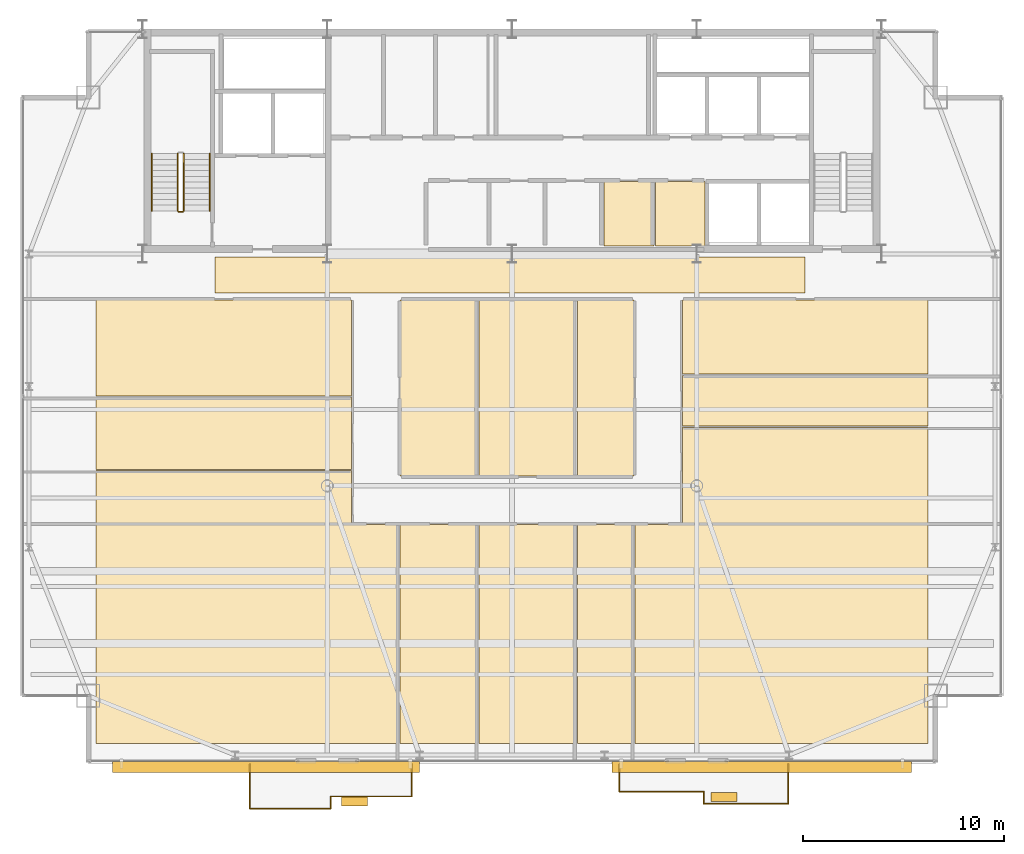
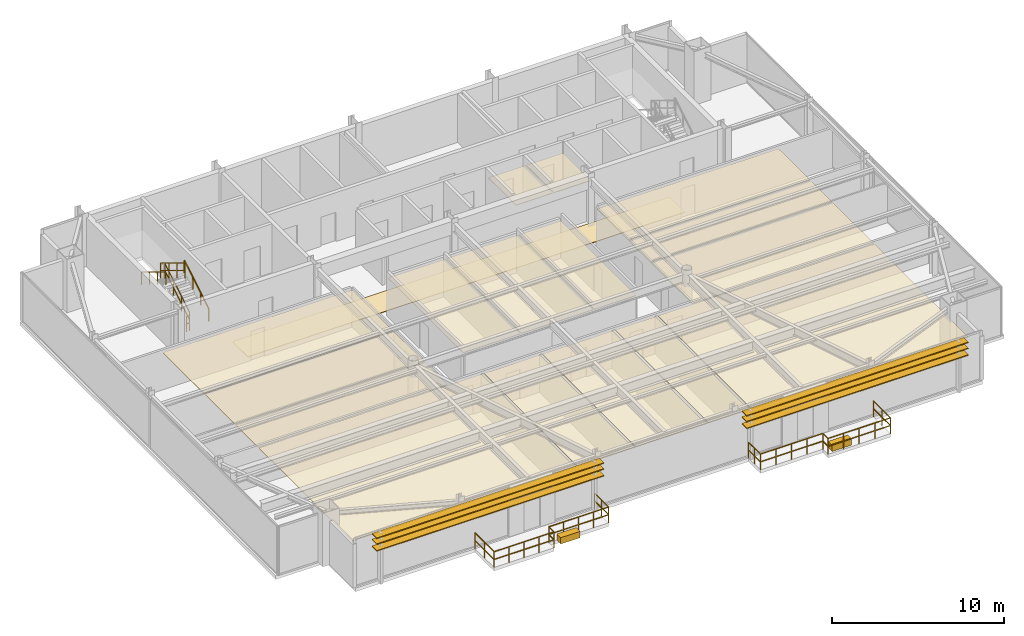
# One storey, part 27 of 28: 19 coverings, 15 railings, 6 shading devices.
"""IFC4 building model written with IfcOpenShell, lengths in metres."""

from ifc_helpers import new_model, si_unit, direction, frame, origin, origin_2d, place, context, subcontext, project, spatial, polyline, rectangle, outline, extrude, source, transform, mapped, material, layer, layer_set, type_object, type_shapes, element, save


model = new_model("IFC4")

# Units and contexts
model_context = context("Model", 3, precision=1e-05, world=origin(), true_north=direction((0.0, 1.0)))
body_context = subcontext(model_context, "Body", "Model", "MODEL_VIEW")
ifc_project = project(units=[si_unit("LENGTHUNIT", "METRE"), si_unit("AREAUNIT", "SQUARE_METRE"), si_unit("VOLUMEUNIT", "CUBIC_METRE"), si_unit("PLANEANGLEUNIT", "RADIAN"), si_unit("MASSUNIT", "GRAM", prefix="KILO")], contexts=[model_context])

# Site, building, storey
site_placement = place(None, origin())
site = spatial("IfcSite", under=ifc_project, at=site_placement, CompositionType="ELEMENT")
building_placement = place(site_placement, origin())
building = spatial("IfcBuilding", under=site, at=building_placement, Name="Varnel Quay Broadcast Tower", CompositionType="ELEMENT")
storey_placement = place(building_placement, frame((0.0, 0.0, 230.199951171875)))
storey = spatial("IfcBuildingStorey", under=building, at=storey_placement, Name="L57", CompositionType="ELEMENT", Elevation=230.199951171875)

# Coverings
ifc_material_1 = material(Name="Micro-Perforated Acoustic Ceiling Tile")
ifc_layer_1 = layer(ifc_material_1, 0.0400390625, Name="Micro-Perforated Acoustic Ceiling Tile")
ifc_layer_set_1 = layer_set([ifc_layer_1], Name="Micro-Perforated Acoustic Ceiling Tile")
covering_type_1 = type_object("IfcCoveringType", Name="Cov_AcousticCeiling", PredefinedType="CEILING", material=ifc_layer_set_1)
covering_1_placement = place(storey_placement, frame((0.0, 0.0, 2.580078125)))
element("IfcCovering", 1, at=covering_1_placement, inside=storey, type_object=covering_type_1, Name="L57 Cleaners' & Linen Store Acoustic Ceiling", PredefinedType="CEILING", context=body_context, shape_type="SweptSolid", body=[
    extrude(outline(polyline([(38.5849609375, 35.985107421875), (41.06494140625, 35.985107421875), (41.06494140625, 39.215087890625), (38.5849609375, 39.215087890625), (38.5849609375, 35.985107421875)])), origin(), (0.0, 0.0, 1.0), 0.0400390625),
])
covering_2_placement = place(storey_placement, frame((0.0, 0.0, 2.580078125)))
element("IfcCovering", 2, at=covering_2_placement, inside=storey, type_object=covering_type_1, Name="L57 Telecom IDF Closet Acoustic Ceiling", PredefinedType="CEILING", context=body_context, shape_type="SweptSolid", body=[
    extrude(outline(polyline([(41.135009765625, 35.985107421875), (43.614990234375, 35.985107421875), (43.614990234375, 39.215087890625), (41.135009765625, 39.215087890625), (41.135009765625, 35.985107421875)])), origin(), (0.0, 0.0, 1.0), 0.0400390625),
])
covering_3_placement = place(storey_placement, frame((0.0, 0.0, 2.580078125)))
element("IfcCovering", 3, at=covering_3_placement, inside=storey, type_object=covering_type_1, Name="L57 Broadcast Newsroom 1 Acoustic Ceiling", PredefinedType="CEILING", context=body_context, shape_type="SweptSolid", body=[
    extrude(outline(polyline([(13.284912109375, 11.22509765625), (28.364990234375, 11.22509765625), (28.364990234375, 22.125), (13.284912109375, 22.125), (13.284912109375, 11.22509765625)])), origin(), (0.0, 0.0, 1.0), 0.0400390625),
])
covering_4_placement = place(storey_placement, frame((0.0, 0.0, 2.580078125)))
element("IfcCovering", 4, at=covering_4_placement, inside=storey, type_object=covering_type_1, Name="L57 Assignment Desk 2 Acoustic Ceiling", PredefinedType="CEILING", context=body_context, shape_type="SweptSolid", body=[
    extrude(outline(polyline([(28.43505859375, 11.22509765625), (32.294921875, 11.22509765625), (32.294921875, 22.125), (28.43505859375, 22.125), (28.43505859375, 11.22509765625)])), origin(), (0.0, 0.0, 1.0), 0.0400390625),
])
covering_5_placement = place(storey_placement, frame((0.0, 0.0, 2.580078125)))
element("IfcCovering", 5, at=covering_5_placement, inside=storey, type_object=covering_type_1, Name="L57 Editorial Boardroom 3 Acoustic Ceiling", PredefinedType="CEILING", context=body_context, shape_type="SweptSolid", body=[
    extrude(outline(polyline([(32.364990234375, 11.22509765625), (37.18505859375, 11.22509765625), (37.18505859375, 22.125), (32.364990234375, 22.125), (32.364990234375, 11.22509765625)])), origin(), (0.0, 0.0, 1.0), 0.0400390625),
])
covering_6_placement = place(storey_placement, frame((0.0, 0.0, 2.580078125)))
element("IfcCovering", 6, at=covering_6_placement, inside=storey, type_object=covering_type_1, Name="L57 Break Kitchen 4 Acoustic Ceiling", PredefinedType="CEILING", context=body_context, shape_type="SweptSolid", body=[
    extrude(outline(polyline([(37.2548828125, 11.22509765625), (40.06494140625, 11.22509765625), (40.06494140625, 22.125), (37.2548828125, 22.125), (37.2548828125, 11.22509765625)])), origin(), (0.0, 0.0, 1.0), 0.0400390625),
])
covering_7_placement = place(storey_placement, frame((0.0, 0.0, 2.580078125)))
element("IfcCovering", 7, at=covering_7_placement, inside=storey, type_object=covering_type_1, Name="L57 Press Green Lounge 5 Acoustic Ceiling", PredefinedType="CEILING", context=body_context, shape_type="SweptSolid", body=[
    extrude(outline(polyline([(40.135009765625, 11.22509765625), (54.715087890625, 11.22509765625), (54.715087890625, 22.125), (40.135009765625, 22.125), (40.135009765625, 11.22509765625)])), origin(), (0.0, 0.0, 1.0), 0.0400390625),
])
covering_8_placement = place(storey_placement, frame((0.0, 0.0, 2.580078125)))
element("IfcCovering", 8, at=covering_8_placement, inside=storey, type_object=covering_type_1, Name="L57 Camera Locker Store 6 Acoustic Ceiling", PredefinedType="CEILING", context=body_context, shape_type="SweptSolid", body=[
    extrude(outline(polyline([(13.284912109375, 22.195068359375), (26.014892578125, 22.195068359375), (26.014892578125, 24.804931640625), (13.284912109375, 24.804931640625), (13.284912109375, 22.195068359375)])), origin(), (0.0, 0.0, 1.0), 0.0400390625),
])
covering_9_placement = place(storey_placement, frame((0.0, 0.0, 2.580078125)))
element("IfcCovering", 9, at=covering_9_placement, inside=storey, type_object=covering_type_1, Name="L57 Broadcast Newsroom 7 Acoustic Ceiling", PredefinedType="CEILING", context=body_context, shape_type="SweptSolid", body=[
    extrude(outline(polyline([(13.284912109375, 24.875), (26.014892578125, 24.875), (26.014892578125, 28.465087890625), (13.284912109375, 28.465087890625), (13.284912109375, 24.875)])), origin(), (0.0, 0.0, 1.0), 0.0400390625),
])
covering_10_placement = place(storey_placement, frame((0.0, 0.0, 2.580078125)))
element("IfcCovering", 10, at=covering_10_placement, inside=storey, type_object=covering_type_1, Name="L57 Assignment Desk 8 Acoustic Ceiling", PredefinedType="CEILING", context=body_context, shape_type="SweptSolid", body=[
    extrude(outline(polyline([(13.284912109375, 28.534912109375), (26.014892578125, 28.534912109375), (26.014892578125, 33.31494140625), (13.284912109375, 33.31494140625), (13.284912109375, 28.534912109375)])), origin(), (0.0, 0.0, 1.0), 0.0400390625),
])
covering_11_placement = place(storey_placement, frame((0.0, 0.0, 2.580078125)))
element("IfcCovering", 11, at=covering_11_placement, inside=storey, type_object=covering_type_1, Name="L57 Editorial Boardroom 9 Acoustic Ceiling", PredefinedType="CEILING", context=body_context, shape_type="SweptSolid", body=[
    extrude(outline(polyline([(28.43505859375, 24.544921875), (32.294921875, 24.544921875), (32.294921875, 33.31494140625), (28.43505859375, 33.31494140625), (28.43505859375, 24.544921875)])), origin(), (0.0, 0.0, 1.0), 0.0400390625),
])
covering_12_placement = place(storey_placement, frame((0.0, 0.0, 2.580078125)))
element("IfcCovering", 12, at=covering_12_placement, inside=storey, type_object=covering_type_1, Name="L57 Break Kitchen 10 Acoustic Ceiling", PredefinedType="CEILING", context=body_context, shape_type="SweptSolid", body=[
    extrude(outline(polyline([(32.364990234375, 24.544921875), (37.18505859375, 24.544921875), (37.18505859375, 33.31494140625), (32.364990234375, 33.31494140625), (32.364990234375, 24.544921875)])), origin(), (0.0, 0.0, 1.0), 0.0400390625),
])
covering_13_placement = place(storey_placement, frame((0.0, 0.0, 2.580078125)))
element("IfcCovering", 13, at=covering_13_placement, inside=storey, type_object=covering_type_1, Name="L57 Press Green Lounge 11 Acoustic Ceiling", PredefinedType="CEILING", context=body_context, shape_type="SweptSolid", body=[
    extrude(outline(polyline([(37.2548828125, 24.544921875), (40.06494140625, 24.544921875), (40.06494140625, 33.31494140625), (37.2548828125, 33.31494140625), (37.2548828125, 24.544921875)])), origin(), (0.0, 0.0, 1.0), 0.0400390625),
])
covering_14_placement = place(storey_placement, frame((0.0, 0.0, 2.580078125)))
element("IfcCovering", 14, at=covering_14_placement, inside=storey, type_object=covering_type_1, Name="L57 Camera Locker Store 12 Acoustic Ceiling", PredefinedType="CEILING", context=body_context, shape_type="SweptSolid", body=[
    extrude(outline(polyline([(42.485107421875, 22.195068359375), (54.715087890625, 22.195068359375), (54.715087890625, 26.97509765625), (42.485107421875, 26.97509765625), (42.485107421875, 22.195068359375)])), origin(), (0.0, 0.0, 1.0), 0.0400390625),
])
covering_15_placement = place(storey_placement, frame((0.0, 0.0, 2.580078125)))
element("IfcCovering", 15, at=covering_15_placement, inside=storey, type_object=covering_type_1, Name="L57 Broadcast Newsroom 13 Acoustic Ceiling", PredefinedType="CEILING", context=body_context, shape_type="SweptSolid", body=[
    extrude(outline(polyline([(42.485107421875, 27.044921875), (54.715087890625, 27.044921875), (54.715087890625, 29.554931640625), (42.485107421875, 29.554931640625), (42.485107421875, 27.044921875)])), origin(), (0.0, 0.0, 1.0), 0.0400390625),
])
covering_16_placement = place(storey_placement, frame((0.0, 0.0, 2.580078125)))
element("IfcCovering", 16, at=covering_16_placement, inside=storey, type_object=covering_type_1, Name="L57 Assignment Desk 14 Acoustic Ceiling", PredefinedType="CEILING", context=body_context, shape_type="SweptSolid", body=[
    extrude(outline(polyline([(42.485107421875, 29.625), (54.715087890625, 29.625), (54.715087890625, 33.31494140625), (42.485107421875, 33.31494140625), (42.485107421875, 29.625)])), origin(), (0.0, 0.0, 1.0), 0.0400390625),
])
ifc_material_2 = material(Name="Polished Terrazzo & Broadcast Raised Flooring")
ifc_layer_2 = layer(ifc_material_2, 0.0400390625, Name="Polished Terrazzo & Broadcast Raised Flooring")
ifc_layer_set_2 = layer_set([ifc_layer_2], Name="Polished Terrazzo & Broadcast Raised Flooring")
covering_type_2 = type_object("IfcCoveringType", Name="Cov_TerrazzoFloor", PredefinedType="FLOORING", material=ifc_layer_set_2)
covering_17_placement = place(storey_placement, origin())
element("IfcCovering", 17, at=covering_17_placement, inside=storey, type_object=covering_type_2, Name="L57 Corridor Terrazzo Flooring", PredefinedType="FLOORING", context=body_context, shape_type="SweptSolid", body=[
    extrude(outline(polyline([(19.199951171875, 33.64990234375), (48.60009765625, 33.64990234375), (48.60009765625, 35.449951171875), (19.199951171875, 35.449951171875), (19.199951171875, 33.64990234375)])), origin(), (0.0, 0.0, 1.0), 0.0400390625),
])

# Railings
ifc_material_3 = material(Name="Anodised Bronze Aluminium 6063-T6", Category="aluminium")
railing_type_1 = type_object("IfcRailingType", Name="Rail_Balustrade1150", PredefinedType="BALUSTRADE", material=ifc_material_3)
railing_1_placement = place(storey_placement, frame((20.949951171875, 7.98291015625, 0.0)))
element("IfcRailing", 18, at=railing_1_placement, inside=storey, type_object=railing_type_1, Name="L57 Terrace 1 Guard 1", PredefinedType="BALUSTRADE", context=body_context, shape_type="SweptSolid", body=[
    extrude(rectangle(XDim=0.048095703125, YDim=0.048095703125, at=origin_2d()), frame((0.0, 0.0, 1.1259765625), z_axis=(1.0, 0.0, 0.0), x_axis=(0.0, 1.0, 0.0)), (0.0, 0.0, 1.0), 4.025146484375),
    extrude(rectangle(XDim=0.048095703125, YDim=0.048095703125, at=origin_2d()), frame((0.0, 0.0, 0.574951171875), z_axis=(1.0, 0.0, 0.0), x_axis=(0.0, 1.0, 0.0)), (0.0, 0.0, 1.0), 4.025146484375),
    extrude(rectangle(XDim=0.0419921875, YDim=0.0419921875, at=origin_2d()), origin(), (0.0, 0.0, 1.0), 1.101806640625),
    extrude(rectangle(XDim=0.0419921875, YDim=0.0419921875, at=origin_2d()), frame((1.00634765625, 0.0, 0.0)), (0.0, 0.0, 1.0), 1.101806640625),
    extrude(rectangle(XDim=0.0419921875, YDim=0.0419921875, at=origin_2d()), frame((2.0126953125, 0.0, 0.0)), (0.0, 0.0, 1.0), 1.101806640625),
    extrude(rectangle(XDim=0.0419921875, YDim=0.0419921875, at=origin_2d()), frame((3.018798828125, 0.0, 0.0)), (0.0, 0.0, 1.0), 1.101806640625),
    extrude(rectangle(XDim=0.0419921875, YDim=0.0419921875, at=origin_2d()), frame((4.025146484375, 0.0, 0.0)), (0.0, 0.0, 1.0), 1.101806640625),
])
railing_2_placement = place(storey_placement, frame((24.97509765625, 7.98291015625, 0.0)))
element("IfcRailing", 19, at=railing_2_placement, inside=storey, type_object=railing_type_1, Name="L57 Terrace 1 Guard 2", PredefinedType="BALUSTRADE", context=body_context, shape_type="SweptSolid", body=[
    extrude(rectangle(XDim=0.048095703125, YDim=0.048095703125, at=origin_2d()), frame((0.0, 0.0, 1.1259765625), z_axis=(0.0, 1.0, 0.0), x_axis=(-1.0, 0.0, 0.0)), (0.0, 0.0, 1.0), 0.60009765625),
    extrude(rectangle(XDim=0.048095703125, YDim=0.048095703125, at=origin_2d()), frame((0.0, 0.0, 0.574951171875), z_axis=(0.0, 1.0, 0.0), x_axis=(-1.0, 0.0, 0.0)), (0.0, 0.0, 1.0), 0.60009765625),
    extrude(rectangle(XDim=0.0419921875, YDim=0.0419921875, at=origin_2d()), origin(), (0.0, 0.0, 1.0), 1.101806640625),
    extrude(rectangle(XDim=0.0419921875, YDim=0.0419921875, at=origin_2d()), frame((0.0, 0.60009765625, 0.0)), (0.0, 0.0, 1.0), 1.101806640625),
])
railing_3_placement = place(storey_placement, frame((24.97509765625, 8.5830078125, 0.0)))
element("IfcRailing", 20, at=railing_3_placement, inside=storey, type_object=railing_type_1, Name="L57 Terrace 1 Guard 3", PredefinedType="BALUSTRADE", context=body_context, shape_type="SweptSolid", body=[
    extrude(rectangle(XDim=0.048095703125, YDim=0.048095703125, at=origin_2d()), frame((0.0, 0.0, 1.1259765625), z_axis=(1.0, 0.0, 0.0), x_axis=(0.0, 1.0, 0.0)), (0.0, 0.0, 1.0), 4.02490234375),
    extrude(rectangle(XDim=0.048095703125, YDim=0.048095703125, at=origin_2d()), frame((0.0, 0.0, 0.574951171875), z_axis=(1.0, 0.0, 0.0), x_axis=(0.0, 1.0, 0.0)), (0.0, 0.0, 1.0), 4.02490234375),
    extrude(rectangle(XDim=0.0419921875, YDim=0.0419921875, at=origin_2d()), origin(), (0.0, 0.0, 1.0), 1.101806640625),
    extrude(rectangle(XDim=0.0419921875, YDim=0.0419921875, at=origin_2d()), frame((1.00634765625, 0.0, 0.0)), (0.0, 0.0, 1.0), 1.101806640625),
    extrude(rectangle(XDim=0.0419921875, YDim=0.0419921875, at=origin_2d()), frame((2.012451171875, 0.0, 0.0)), (0.0, 0.0, 1.0), 1.101806640625),
    extrude(rectangle(XDim=0.0419921875, YDim=0.0419921875, at=origin_2d()), frame((3.0185546875, 0.0, 0.0)), (0.0, 0.0, 1.0), 1.101806640625),
    extrude(rectangle(XDim=0.0419921875, YDim=0.0419921875, at=origin_2d()), frame((4.02490234375, 0.0, 0.0)), (0.0, 0.0, 1.0), 1.101806640625),
])
railing_4_placement = place(storey_placement, frame((29.0, 8.5830078125, 0.0)))
element("IfcRailing", 21, at=railing_4_placement, inside=storey, type_object=railing_type_1, Name="L57 Terrace 1 Guard 4", PredefinedType="BALUSTRADE", context=body_context, shape_type="SweptSolid", body=[
    extrude(rectangle(XDim=0.048095703125, YDim=0.048095703125, at=origin_2d()), frame((0.0, 0.0, 1.1259765625), z_axis=(0.0, 1.0, 0.0), x_axis=(-1.0, 0.0, 0.0)), (0.0, 0.0, 1.0), 1.616943359375),
    extrude(rectangle(XDim=0.048095703125, YDim=0.048095703125, at=origin_2d()), frame((0.0, 0.0, 0.574951171875), z_axis=(0.0, 1.0, 0.0), x_axis=(-1.0, 0.0, 0.0)), (0.0, 0.0, 1.0), 1.616943359375),
    extrude(rectangle(XDim=0.0419921875, YDim=0.0419921875, at=origin_2d()), origin(), (0.0, 0.0, 1.0), 1.101806640625),
    extrude(rectangle(XDim=0.0419921875, YDim=0.0419921875, at=origin_2d()), frame((0.0, 0.80859375, 0.0)), (0.0, 0.0, 1.0), 1.101806640625),
    extrude(rectangle(XDim=0.0419921875, YDim=0.0419921875, at=origin_2d()), frame((0.0, 1.616943359375, 0.0)), (0.0, 0.0, 1.0), 1.101806640625),
])
railing_5_placement = place(storey_placement, frame((20.949951171875, 10.199951171875, 0.0)))
element("IfcRailing", 22, at=railing_5_placement, inside=storey, type_object=railing_type_1, Name="L57 Terrace 1 Guard 6", PredefinedType="BALUSTRADE", context=body_context, shape_type="SweptSolid", body=[
    extrude(rectangle(XDim=0.048095703125, YDim=0.048095703125, at=origin_2d()), frame((0.0, 0.0, 1.1259765625), z_axis=(0.0, -1.0, 0.0), x_axis=(1.0, 0.0, 0.0)), (0.0, 0.0, 1.0), 2.217041015625),
    extrude(rectangle(XDim=0.048095703125, YDim=0.048095703125, at=origin_2d()), frame((0.0, 0.0, 0.574951171875), z_axis=(0.0, -1.0, 0.0), x_axis=(1.0, 0.0, 0.0)), (0.0, 0.0, 1.0), 2.217041015625),
    extrude(rectangle(XDim=0.0419921875, YDim=0.0419921875, at=origin_2d()), origin(), (0.0, 0.0, 1.0), 1.101806640625),
    extrude(rectangle(XDim=0.0419921875, YDim=0.0419921875, at=origin_2d()), frame((0.0, -1.1083984375, 0.0)), (0.0, 0.0, 1.0), 1.101806640625),
    extrude(rectangle(XDim=0.0419921875, YDim=0.0419921875, at=origin_2d()), frame((0.0, -2.217041015625, 0.0)), (0.0, 0.0, 1.0), 1.101806640625),
])
railing_6_placement = place(storey_placement, frame((39.35009765625, 8.81689453125, 0.0)))
element("IfcRailing", 23, at=railing_6_placement, inside=storey, type_object=railing_type_1, Name="L57 Terrace 2 Guard 1", PredefinedType="BALUSTRADE", context=body_context, shape_type="SweptSolid", body=[
    extrude(rectangle(XDim=0.048095703125, YDim=0.048095703125, at=origin_2d()), frame((0.0, 0.0, 1.1259765625), z_axis=(1.0, 0.0, 0.0), x_axis=(0.0, 1.0, 0.0)), (0.0, 0.0, 1.0), 4.199951171875),
    extrude(rectangle(XDim=0.048095703125, YDim=0.048095703125, at=origin_2d()), frame((0.0, 0.0, 0.574951171875), z_axis=(1.0, 0.0, 0.0), x_axis=(0.0, 1.0, 0.0)), (0.0, 0.0, 1.0), 4.199951171875),
    extrude(rectangle(XDim=0.0419921875, YDim=0.0419921875, at=origin_2d()), origin(), (0.0, 0.0, 1.0), 1.101806640625),
    extrude(rectangle(XDim=0.0419921875, YDim=0.0419921875, at=origin_2d()), frame((1.050048828125, 0.0, 0.0)), (0.0, 0.0, 1.0), 1.101806640625),
    extrude(rectangle(XDim=0.0419921875, YDim=0.0419921875, at=origin_2d()), frame((2.10009765625, 0.0, 0.0)), (0.0, 0.0, 1.0), 1.101806640625),
    extrude(rectangle(XDim=0.0419921875, YDim=0.0419921875, at=origin_2d()), frame((3.14990234375, 0.0, 0.0)), (0.0, 0.0, 1.0), 1.101806640625),
    extrude(rectangle(XDim=0.0419921875, YDim=0.0419921875, at=origin_2d()), frame((4.199951171875, 0.0, 0.0)), (0.0, 0.0, 1.0), 1.101806640625),
])
railing_7_placement = place(storey_placement, frame((43.550048828125, 8.81689453125, 0.0)))
element("IfcRailing", 24, at=railing_7_placement, inside=storey, type_object=railing_type_1, Name="L57 Terrace 2 Guard 2", PredefinedType="BALUSTRADE", context=body_context, shape_type="SweptSolid", body=[
    extrude(rectangle(XDim=0.048095703125, YDim=0.048095703125, at=origin_2d()), frame((0.0, 0.0, 1.1259765625), z_axis=(0.0, -1.0, 0.0), x_axis=(1.0, 0.0, 0.0)), (0.0, 0.0, 1.0), 0.599853515625),
    extrude(rectangle(XDim=0.048095703125, YDim=0.048095703125, at=origin_2d()), frame((0.0, 0.0, 0.574951171875), z_axis=(0.0, -1.0, 0.0), x_axis=(1.0, 0.0, 0.0)), (0.0, 0.0, 1.0), 0.599853515625),
    extrude(rectangle(XDim=0.0419921875, YDim=0.0419921875, at=origin_2d()), origin(), (0.0, 0.0, 1.0), 1.101806640625),
    extrude(rectangle(XDim=0.0419921875, YDim=0.0419921875, at=origin_2d()), frame((0.0, -0.599853515625, 0.0)), (0.0, 0.0, 1.0), 1.101806640625),
])
railing_8_placement = place(storey_placement, frame((43.550048828125, 8.217041015625, 0.0)))
element("IfcRailing", 25, at=railing_8_placement, inside=storey, type_object=railing_type_1, Name="L57 Terrace 2 Guard 3", PredefinedType="BALUSTRADE", context=body_context, shape_type="SweptSolid", body=[
    extrude(rectangle(XDim=0.048095703125, YDim=0.048095703125, at=origin_2d()), frame((0.0, 0.0, 1.1259765625), z_axis=(1.0, 0.0, 0.0), x_axis=(0.0, 1.0, 0.0)), (0.0, 0.0, 1.0), 4.199951171875),
    extrude(rectangle(XDim=0.048095703125, YDim=0.048095703125, at=origin_2d()), frame((0.0, 0.0, 0.574951171875), z_axis=(1.0, 0.0, 0.0), x_axis=(0.0, 1.0, 0.0)), (0.0, 0.0, 1.0), 4.199951171875),
    extrude(rectangle(XDim=0.0419921875, YDim=0.0419921875, at=origin_2d()), origin(), (0.0, 0.0, 1.0), 1.101806640625),
    extrude(rectangle(XDim=0.0419921875, YDim=0.0419921875, at=origin_2d()), frame((1.050048828125, 0.0, 0.0)), (0.0, 0.0, 1.0), 1.101806640625),
    extrude(rectangle(XDim=0.0419921875, YDim=0.0419921875, at=origin_2d()), frame((2.10009765625, 0.0, 0.0)), (0.0, 0.0, 1.0), 1.101806640625),
    extrude(rectangle(XDim=0.0419921875, YDim=0.0419921875, at=origin_2d()), frame((3.14990234375, 0.0, 0.0)), (0.0, 0.0, 1.0), 1.101806640625),
    extrude(rectangle(XDim=0.0419921875, YDim=0.0419921875, at=origin_2d()), frame((4.199951171875, 0.0, 0.0)), (0.0, 0.0, 1.0), 1.101806640625),
])
railing_9_placement = place(storey_placement, frame((47.75, 8.217041015625, 0.0)))
element("IfcRailing", 26, at=railing_9_placement, inside=storey, type_object=railing_type_1, Name="L57 Terrace 2 Guard 4", PredefinedType="BALUSTRADE", context=body_context, shape_type="SweptSolid", body=[
    extrude(rectangle(XDim=0.048095703125, YDim=0.048095703125, at=origin_2d()), frame((0.0, 0.0, 1.1259765625), z_axis=(0.0, 1.0, 0.0), x_axis=(-1.0, 0.0, 0.0)), (0.0, 0.0, 1.0), 1.98291015625),
    extrude(rectangle(XDim=0.048095703125, YDim=0.048095703125, at=origin_2d()), frame((0.0, 0.0, 0.574951171875), z_axis=(0.0, 1.0, 0.0), x_axis=(-1.0, 0.0, 0.0)), (0.0, 0.0, 1.0), 1.98291015625),
    extrude(rectangle(XDim=0.0419921875, YDim=0.0419921875, at=origin_2d()), origin(), (0.0, 0.0, 1.0), 1.101806640625),
    extrude(rectangle(XDim=0.0419921875, YDim=0.0419921875, at=origin_2d()), frame((0.0, 0.991455078125, 0.0)), (0.0, 0.0, 1.0), 1.101806640625),
    extrude(rectangle(XDim=0.0419921875, YDim=0.0419921875, at=origin_2d()), frame((0.0, 1.98291015625, 0.0)), (0.0, 0.0, 1.0), 1.101806640625),
])
railing_10_placement = place(storey_placement, frame((39.35009765625, 10.199951171875, 0.0)))
element("IfcRailing", 27, at=railing_10_placement, inside=storey, type_object=railing_type_1, Name="L57 Terrace 2 Guard 6", PredefinedType="BALUSTRADE", context=body_context, shape_type="SweptSolid", body=[
    extrude(rectangle(XDim=0.048095703125, YDim=0.048095703125, at=origin_2d()), frame((0.0, 0.0, 1.1259765625), z_axis=(0.0, -1.0, 0.0), x_axis=(1.0, 0.0, 0.0)), (0.0, 0.0, 1.0), 1.383056640625),
    extrude(rectangle(XDim=0.048095703125, YDim=0.048095703125, at=origin_2d()), frame((0.0, 0.0, 0.574951171875), z_axis=(0.0, -1.0, 0.0), x_axis=(1.0, 0.0, 0.0)), (0.0, 0.0, 1.0), 1.383056640625),
    extrude(rectangle(XDim=0.0419921875, YDim=0.0419921875, at=origin_2d()), origin(), (0.0, 0.0, 1.0), 1.101806640625),
    extrude(rectangle(XDim=0.0419921875, YDim=0.0419921875, at=origin_2d()), frame((0.0, -0.69140625, 0.0)), (0.0, 0.0, 1.0), 1.101806640625),
    extrude(rectangle(XDim=0.0419921875, YDim=0.0419921875, at=origin_2d()), frame((0.0, -1.383056640625, 0.0)), (0.0, 0.0, 1.0), 1.101806640625),
])
ifc_material_4 = material(Name="Painted Steel Guard and Handrail CSA G40.21 350W", Category="steel")
railing_type_2 = type_object("IfcRailingType", Name="Rail_StairGuard1100", PredefinedType="GUARDRAIL", material=ifc_material_4)
railing_11_placement = place(storey_placement, frame((17.64990234375, 37.75, 0.1728515625)))
element("IfcRailing", 28, at=railing_11_placement, inside=storey, type_object=railing_type_2, Name="L57 ST-01 stair guard 1", PredefinedType="GUARDRAIL", context=body_context, shape_type="SweptSolid", body=[
    extrude(rectangle(XDim=0.048095703125, YDim=0.048095703125, at=origin_2d()), frame((0.0, 0.0, 1.076171875), z_axis=(0.0, 0.855202751398, 0.518293598264), x_axis=(-1.0, 0.0, 0.0)), (0.0, 0.0, 1.0), 3.332763671875),
    extrude(rectangle(XDim=0.048095703125, YDim=0.048095703125, at=origin_2d()), frame((0.0, 0.0, 0.550048828125), z_axis=(0.0, 0.855202751398, 0.518293598264), x_axis=(-1.0, 0.0, 0.0)), (0.0, 0.0, 1.0), 3.332763671875),
    extrude(rectangle(XDim=0.0419921875, YDim=0.0419921875, at=origin_2d()), origin(), (0.0, 0.0, 1.0), 1.052001953125),
    extrude(rectangle(XDim=0.0419921875, YDim=0.0419921875, at=origin_2d()), frame((0.0, 0.949951171875, 0.57568359375)), (0.0, 0.0, 1.0), 1.052001953125),
    extrude(rectangle(XDim=0.0419921875, YDim=0.0419921875, at=origin_2d()), frame((0.0, 1.900146484375, 1.151611328125)), (0.0, 0.0, 1.0), 1.052001953125),
    extrude(rectangle(XDim=0.0419921875, YDim=0.0419921875, at=origin_2d()), frame((0.0, 2.85009765625, 1.727294921875)), (0.0, 0.0, 1.0), 1.052001953125),
])
railing_12_placement = place(storey_placement, frame((17.35009765625, 40.60009765625, 2.07275390625)))
element("IfcRailing", 29, at=railing_12_placement, inside=storey, type_object=railing_type_2, Name="L57 ST-01 stair guard 3", PredefinedType="GUARDRAIL", context=body_context, shape_type="SweptSolid", body=[
    extrude(rectangle(XDim=0.048095703125, YDim=0.048095703125, at=origin_2d()), frame((0.0, 0.0, 1.076171875), z_axis=(0.0, -0.855202751398, 0.518293598264), x_axis=(1.0, 0.0, 0.0)), (0.0, 0.0, 1.0), 3.332763671875),
    extrude(rectangle(XDim=0.048095703125, YDim=0.048095703125, at=origin_2d()), frame((0.0, 0.0, 0.550048828125), z_axis=(0.0, -0.855202751398, 0.518293598264), x_axis=(1.0, 0.0, 0.0)), (0.0, 0.0, 1.0), 3.332763671875),
    extrude(rectangle(XDim=0.0419921875, YDim=0.0419921875, at=origin_2d()), origin(), (0.0, 0.0, 1.0), 1.052001953125),
    extrude(rectangle(XDim=0.0419921875, YDim=0.0419921875, at=origin_2d()), frame((0.0, -0.949951171875, 0.57568359375)), (0.0, 0.0, 1.0), 1.052001953125),
    extrude(rectangle(XDim=0.0419921875, YDim=0.0419921875, at=origin_2d()), frame((0.0, -1.900146484375, 1.151611328125)), (0.0, 0.0, 1.0), 1.052001953125),
    extrude(rectangle(XDim=0.0419921875, YDim=0.0419921875, at=origin_2d()), frame((0.0, -2.85009765625, 1.727294921875)), (0.0, 0.0, 1.0), 1.052001953125),
])
railing_13_placement = place(storey_placement, frame((17.60009765625, 37.699951171875, 0.0)))
element("IfcRailing", 30, at=railing_13_placement, inside=storey, type_object=railing_type_2, Name="L57 ST-01 stair guard 4", PredefinedType="GUARDRAIL", context=body_context, shape_type="SweptSolid", body=[
    extrude(rectangle(XDim=0.048095703125, YDim=0.048095703125, at=origin_2d()), frame((0.0, 0.0, 1.076171875), z_axis=(-1.0, 0.0, 0.0), x_axis=(0.0, -1.0, 0.0)), (0.0, 0.0, 1.0), 0.2001953125),
    extrude(rectangle(XDim=0.048095703125, YDim=0.048095703125, at=origin_2d()), frame((0.0, 0.0, 0.550048828125), z_axis=(-1.0, 0.0, 0.0), x_axis=(0.0, -1.0, 0.0)), (0.0, 0.0, 1.0), 0.2001953125),
    extrude(rectangle(XDim=0.0419921875, YDim=0.0419921875, at=origin_2d()), origin(), (0.0, 0.0, 1.0), 1.052001953125),
    extrude(rectangle(XDim=0.0419921875, YDim=0.0419921875, at=origin_2d()), frame((-0.2001953125, 0.0, 0.0)), (0.0, 0.0, 1.0), 1.052001953125),
])
railing_type_3 = type_object("IfcRailingType", Name="Rail_StairHandrail900", PredefinedType="HANDRAIL", material=ifc_material_4)
railing_14_placement = place(storey_placement, frame((18.949951171875, 37.75, 0.1728515625)))
element("IfcRailing", 31, at=railing_14_placement, inside=storey, type_object=railing_type_3, Name="L57 ST-01 stair handrail 1", PredefinedType="HANDRAIL", context=body_context, shape_type="SweptSolid", body=[
    extrude(rectangle(XDim=0.048095703125, YDim=0.048095703125, at=origin_2d()), frame((0.0, 0.0, 0.8759765625), z_axis=(0.0, 0.855202751398, 0.518293598264), x_axis=(-1.0, 0.0, 0.0)), (0.0, 0.0, 1.0), 3.332763671875),
    extrude(rectangle(XDim=0.0419921875, YDim=0.0419921875, at=origin_2d()), origin(), (0.0, 0.0, 1.0), 0.851806640625),
    extrude(rectangle(XDim=0.0419921875, YDim=0.0419921875, at=origin_2d()), frame((0.0, 0.949951171875, 0.57568359375)), (0.0, 0.0, 1.0), 0.851806640625),
    extrude(rectangle(XDim=0.0419921875, YDim=0.0419921875, at=origin_2d()), frame((0.0, 1.900146484375, 1.151611328125)), (0.0, 0.0, 1.0), 0.851806640625),
    extrude(rectangle(XDim=0.0419921875, YDim=0.0419921875, at=origin_2d()), frame((0.0, 2.85009765625, 1.727294921875)), (0.0, 0.0, 1.0), 0.851806640625),
])
railing_15_placement = place(storey_placement, frame((16.050048828125, 40.60009765625, 2.07275390625)))
element("IfcRailing", 32, at=railing_15_placement, inside=storey, type_object=railing_type_3, Name="L57 ST-01 stair handrail 2", PredefinedType="HANDRAIL", context=body_context, shape_type="SweptSolid", body=[
    extrude(rectangle(XDim=0.048095703125, YDim=0.048095703125, at=origin_2d()), frame((0.0, 0.0, 0.8759765625), z_axis=(0.0, -0.855202751398, 0.518293598264), x_axis=(1.0, 0.0, 0.0)), (0.0, 0.0, 1.0), 3.332763671875),
    extrude(rectangle(XDim=0.0419921875, YDim=0.0419921875, at=origin_2d()), origin(), (0.0, 0.0, 1.0), 0.851806640625),
    extrude(rectangle(XDim=0.0419921875, YDim=0.0419921875, at=origin_2d()), frame((0.0, -0.949951171875, 0.57568359375)), (0.0, 0.0, 1.0), 0.851806640625),
    extrude(rectangle(XDim=0.0419921875, YDim=0.0419921875, at=origin_2d()), frame((0.0, -1.900146484375, 1.151611328125)), (0.0, 0.0, 1.0), 0.851806640625),
    extrude(rectangle(XDim=0.0419921875, YDim=0.0419921875, at=origin_2d()), frame((0.0, -2.85009765625, 1.727294921875)), (0.0, 0.0, 1.0), 0.851806640625),
])

# Coverings
ifc_material_5 = material(Name="Bronze-Terracotta Extruded Ceramic Blade", Category="masonry")
ifc_layer_3 = layer(ifc_material_5, 0.449951171875, Name="Bronze-Terracotta Extruded Ceramic Blade")
ifc_layer_set_3 = layer_set([ifc_layer_3], Name="Bronze-Terracotta Extruded Ceramic Blade")
covering_type_3 = type_object("IfcCoveringType", Name="Cov_BronzePlanter", PredefinedType="CLADDING", material=ifc_layer_set_3)
shared_shape_1 = source(origin(), body_context, "Body", "SweptSolid", [
    extrude(rectangle(XDim=1.300048828125, YDim=0.449951171875, at=origin_2d()), origin(), (0.0, 0.0, 1.0), 0.449951171875),
])
type_shapes(covering_type_3, [shared_shape_1])
for number, where, z_axis, x_axis, name in (
    (33, (26.14990234375, 8.3330078125, 0.0), (0.0, 0.0, 1.0), (1.0, 0.0, 0.0), "L57 Terrace 1 Bronze Planter"),
    (34, (44.550048828125, 8.56689453125, 0.0), (0.0, 0.0, 1.0), (1.0, 0.0, 0.0), "L57 Terrace 2 Bronze Planter"),
):
    element("IfcCovering", number, at=place(storey_placement, frame(where, z_axis=z_axis, x_axis=x_axis)), inside=storey, type_object=covering_type_3, Name=name, PredefinedType="CLADDING", context=body_context, shape_type="MappedRepresentation", body=[
        mapped(shared_shape_1, transform((0.0, 0.0, 0.0), x_axis=(1.0, 0.0, 0.0), y_axis=(0.0, 1.0, 0.0), z_axis=(0.0, 0.0, 1.0), scale=1.0)),
    ])

# Shading devices
ifc_layer_4 = layer(ifc_material_5, 0.06494140625, Name="Bronze-Terracotta Extruded Ceramic Blade")
ifc_layer_set_4 = layer_set([ifc_layer_4], Name="Bronze-Terracotta Extruded Ceramic Blade")
shading_device_type = type_object("IfcShadingDeviceType", Name="Shade_LouvreBlade550", PredefinedType="JALOUSIE", material=ifc_layer_set_4)
shared_shape_2 = source(origin(), body_context, "Body", "SweptSolid", [
    extrude(rectangle(XDim=15.287109375, YDim=0.550048828125, at=origin_2d()), origin(), (0.0, 0.0, 1.0), 0.06494140625),
])
for number, where, z_axis, x_axis, name in (
    (35, (21.743896484375, 10.06005859375, 2.447509765625), (0.0, 0.0, 1.0), (1.0, 0.0, 0.0), "L57 Lobe 1 Horizontal Louvre Blade 1"),
    (36, (21.743896484375, 10.06005859375, 2.927490234375), (0.0, 0.0, 1.0), (1.0, 0.0, 0.0), "L57 Lobe 1 Horizontal Louvre Blade 2"),
    (37, (21.743896484375, 10.06005859375, 3.34765625), (0.0, 0.0, 1.0), (1.0, 0.0, 0.0), "L57 Lobe 1 Horizontal Louvre Blade 3"),
):
    element("IfcShadingDevice", number, at=place(storey_placement, frame(where, z_axis=z_axis, x_axis=x_axis)), inside=storey, type_object=shading_device_type, Name=name, PredefinedType="JALOUSIE", context=body_context, shape_type="MappedRepresentation", body=[
        mapped(shared_shape_2, transform((0.0, 0.0, 0.0), x_axis=(1.0, 0.0, 0.0), y_axis=(0.0, 1.0, 0.0), z_axis=(0.0, 0.0, 1.0), scale=1.0)),
    ])
shared_shape_3 = source(origin(), body_context, "Body", "SweptSolid", [
    extrude(rectangle(XDim=14.9130859375, YDim=0.550048828125, at=origin_2d()), origin(), (0.0, 0.0, 1.0), 0.06494140625),
])
type_shapes(shading_device_type, [shared_shape_2, shared_shape_3])
for number, where, z_axis, x_axis, name in (
    (38, (46.444091796875, 10.06005859375, 2.447509765625), (0.0, 0.0, 1.0), (1.0, 0.0, 0.0), "L57 Lobe 2 Horizontal Louvre Blade 1"),
    (39, (46.444091796875, 10.06005859375, 2.927490234375), (0.0, 0.0, 1.0), (1.0, 0.0, 0.0), "L57 Lobe 2 Horizontal Louvre Blade 2"),
    (40, (46.444091796875, 10.06005859375, 3.34765625), (0.0, 0.0, 1.0), (1.0, 0.0, 0.0), "L57 Lobe 2 Horizontal Louvre Blade 3"),
):
    element("IfcShadingDevice", number, at=place(storey_placement, frame(where, z_axis=z_axis, x_axis=x_axis)), inside=storey, type_object=shading_device_type, Name=name, PredefinedType="JALOUSIE", context=body_context, shape_type="MappedRepresentation", body=[
        mapped(shared_shape_3, transform((0.0, 0.0, 0.0), x_axis=(1.0, 0.0, 0.0), y_axis=(0.0, 1.0, 0.0), z_axis=(0.0, 0.0, 1.0), scale=1.0)),
    ])

save(model, "model.ifc")
